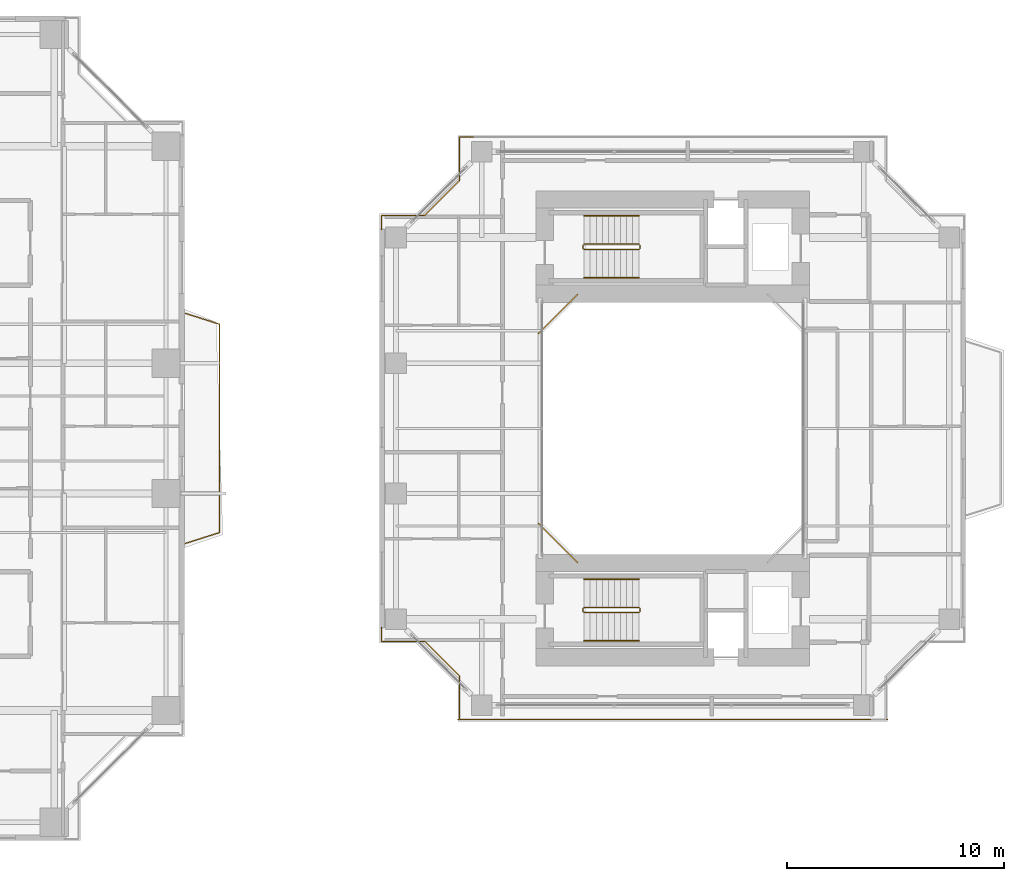
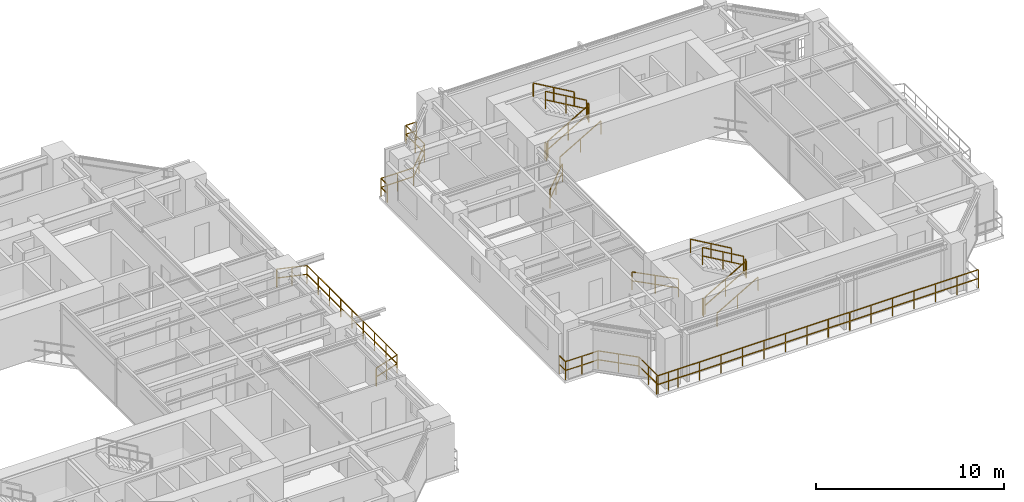
# One storey, part 21 of 22: 18 railings.
"""IFC4 building model written with IfcOpenShell, lengths in metres."""

from ifc_helpers import new_model, si_unit, direction, frame, origin, origin_2d, place, context, subcontext, project, spatial, rectangle, extrude, material, type_object, element, save


model = new_model("IFC4")

# Units and contexts
model_context = context("Model", 3, precision=1e-05, world=origin(), true_north=direction((0.0, 1.0)))
body_context = subcontext(model_context, "Body", "Model", "MODEL_VIEW")
ifc_project = project(units=[si_unit("LENGTHUNIT", "METRE"), si_unit("AREAUNIT", "SQUARE_METRE"), si_unit("VOLUMEUNIT", "CUBIC_METRE"), si_unit("PLANEANGLEUNIT", "RADIAN"), si_unit("MASSUNIT", "GRAM", prefix="KILO"), si_unit("THERMODYNAMICTEMPERATUREUNIT", "KELVIN"), si_unit("POWERUNIT", "WATT")], contexts=[model_context])

# Site, building, storey
site_placement = place(None, origin())
site = spatial("IfcSite", under=ifc_project, at=site_placement, CompositionType="ELEMENT")
building_placement = place(site_placement, origin())
building = spatial("IfcBuilding", under=site, at=building_placement, Name="Qiaomeng Ring Towers", CompositionType="ELEMENT")
storey_placement = place(building_placement, frame((0.0, 0.0, 53.5)))
storey = spatial("IfcBuildingStorey", under=building, at=storey_placement, Name="L14", CompositionType="ELEMENT", Elevation=53.5)

# Railings
ifc_material_1 = material(Name="Low-E pale-green laminated safety glass", Category="glass")
railing_type_1 = type_object("IfcRailingType", Name="ARC-RL-BAL1", PredefinedType="BALUSTRADE", material=ifc_material_1)
railing_1_placement = place(storey_placement, frame((38.050048828125, 17.699951171875, 0.0)))
element("IfcRailing", 1, at=railing_1_placement, inside=storey, type_object=railing_type_1, Name="L14 Balustrade ARC-BAL-L14-T1-E", PredefinedType="BALUSTRADE", context=body_context, shape_type="SweptSolid", body=[
    extrude(rectangle(XDim=0.048095703125, YDim=0.048095703125, at=origin_2d()), frame((0.0, 0.0, 1.17578125), z_axis=(0.952849860715, 0.303442157479, 0.0), x_axis=(-0.303442157479, 0.952849860715, 0.0)), (0.0, 0.0, 1.0), 1.647705078125),
    extrude(rectangle(XDim=0.048095703125, YDim=0.048095703125, at=origin_2d()), frame((0.0, 0.0, 0.60009765625), z_axis=(0.952849860715, 0.303442157479, 0.0), x_axis=(-0.303442157479, 0.952849860715, 0.0)), (0.0, 0.0, 1.0), 1.647705078125),
    extrude(rectangle(XDim=0.048095703125, YDim=0.048095703125, at=origin_2d()), frame((1.570068359375, 0.5, 1.17578125), z_axis=(0.0, 1.0, 0.0), x_axis=(-1.0, 0.0, 0.0)), (0.0, 0.0, 1.0), 9.60009765625),
    extrude(rectangle(XDim=0.048095703125, YDim=0.048095703125, at=origin_2d()), frame((1.570068359375, 0.5, 0.60009765625), z_axis=(0.0, 1.0, 0.0), x_axis=(-1.0, 0.0, 0.0)), (0.0, 0.0, 1.0), 9.60009765625),
    extrude(rectangle(XDim=0.048095703125, YDim=0.048095703125, at=origin_2d()), frame((1.570068359375, 10.10009765625, 1.17578125), z_axis=(-0.952849860715, 0.303442157479, 0.0), x_axis=(-0.303442157479, -0.952849860715, 0.0)), (0.0, 0.0, 1.0), 1.647705078125),
    extrude(rectangle(XDim=0.048095703125, YDim=0.048095703125, at=origin_2d()), frame((1.570068359375, 10.10009765625, 0.60009765625), z_axis=(-0.952849860715, 0.303442157479, 0.0), x_axis=(-0.303442157479, -0.952849860715, 0.0)), (0.0, 0.0, 1.0), 1.647705078125),
    extrude(rectangle(XDim=0.0419921875, YDim=0.0419921875, at=origin_2d()), origin(), (0.0, 0.0, 1.0), 1.15185546875),
    extrude(rectangle(XDim=0.0419921875, YDim=0.0419921875, at=origin_2d()), frame((0.78515625, 0.25, 0.0)), (0.0, 0.0, 1.0), 1.15185546875),
    extrude(rectangle(XDim=0.0419921875, YDim=0.0419921875, at=origin_2d()), frame((1.570068359375, 0.5, 0.0)), (0.0, 0.0, 1.0), 1.15185546875),
    extrude(rectangle(XDim=0.0419921875, YDim=0.0419921875, at=origin_2d()), frame((1.570068359375, 1.699951171875, 0.0)), (0.0, 0.0, 1.0), 1.15185546875),
    extrude(rectangle(XDim=0.0419921875, YDim=0.0419921875, at=origin_2d()), frame((1.570068359375, 2.89990234375, 0.0)), (0.0, 0.0, 1.0), 1.15185546875),
    extrude(rectangle(XDim=0.0419921875, YDim=0.0419921875, at=origin_2d()), frame((1.570068359375, 4.10009765625, 0.0)), (0.0, 0.0, 1.0), 1.15185546875),
    extrude(rectangle(XDim=0.0419921875, YDim=0.0419921875, at=origin_2d()), frame((1.570068359375, 5.300048828125, 0.0)), (0.0, 0.0, 1.0), 1.15185546875),
    extrude(rectangle(XDim=0.0419921875, YDim=0.0419921875, at=origin_2d()), frame((1.570068359375, 6.5, 0.0)), (0.0, 0.0, 1.0), 1.15185546875),
    extrude(rectangle(XDim=0.0419921875, YDim=0.0419921875, at=origin_2d()), frame((1.570068359375, 7.7001953125, 0.0)), (0.0, 0.0, 1.0), 1.15185546875),
    extrude(rectangle(XDim=0.0419921875, YDim=0.0419921875, at=origin_2d()), frame((1.570068359375, 8.900146484375, 0.0)), (0.0, 0.0, 1.0), 1.15185546875),
    extrude(rectangle(XDim=0.0419921875, YDim=0.0419921875, at=origin_2d()), frame((1.570068359375, 10.10009765625, 0.0)), (0.0, 0.0, 1.0), 1.15185546875),
    extrude(rectangle(XDim=0.0419921875, YDim=0.0419921875, at=origin_2d()), frame((0.78515625, 10.35009765625, 0.0)), (0.0, 0.0, 1.0), 1.15185546875),
    extrude(rectangle(XDim=0.0419921875, YDim=0.0419921875, at=origin_2d()), frame((0.0, 10.60009765625, 0.0)), (0.0, 0.0, 1.0), 1.15185546875),
])
railing_2_placement = place(storey_placement, frame((56.1201171875, 29.179931640625, 0.0)))
element("IfcRailing", 2, at=railing_2_placement, inside=storey, type_object=railing_type_1, Name="L14 Balustrade ARC-BAL-WELL2-L14-3", PredefinedType="BALUSTRADE", context=body_context, shape_type="SweptSolid", body=[
    extrude(rectangle(XDim=0.048095703125, YDim=0.048095703125, at=origin_2d()), frame((0.0, 0.0, 1.17578125), z_axis=(-0.707106781187, -0.707106781187, 0.0), x_axis=(0.707106781187, -0.707106781187, 0.0)), (0.0, 0.0, 1.0), 2.545654296875),
    extrude(rectangle(XDim=0.048095703125, YDim=0.048095703125, at=origin_2d()), frame((0.0, 0.0, 0.60009765625), z_axis=(-0.707106781187, -0.707106781187, 0.0), x_axis=(0.707106781187, -0.707106781187, 0.0)), (0.0, 0.0, 1.0), 2.545654296875),
    extrude(rectangle(XDim=0.0419921875, YDim=0.0419921875, at=origin_2d()), origin(), (0.0, 0.0, 1.0), 1.15185546875),
    extrude(rectangle(XDim=0.0419921875, YDim=0.0419921875, at=origin_2d()), frame((-0.89990234375, -0.89990234375, 0.0)), (0.0, 0.0, 1.0), 1.15185546875),
    extrude(rectangle(XDim=0.0419921875, YDim=0.0419921875, at=origin_2d()), frame((-1.800048828125, -1.800048828125, 0.0)), (0.0, 0.0, 1.0), 1.15185546875),
])
railing_3_placement = place(storey_placement, frame((54.320068359375, 18.6201171875, 0.0)))
element("IfcRailing", 3, at=railing_3_placement, inside=storey, type_object=railing_type_1, Name="L14 Balustrade ARC-BAL-WELL2-L14-4", PredefinedType="BALUSTRADE", context=body_context, shape_type="SweptSolid", body=[
    extrude(rectangle(XDim=0.048095703125, YDim=0.048095703125, at=origin_2d()), frame((0.0, 0.0, 1.17578125), z_axis=(0.707106781187, -0.707106781187, 0.0), x_axis=(0.707106781187, 0.707106781187, 0.0)), (0.0, 0.0, 1.0), 2.545654296875),
    extrude(rectangle(XDim=0.048095703125, YDim=0.048095703125, at=origin_2d()), frame((0.0, 0.0, 0.60009765625), z_axis=(0.707106781187, -0.707106781187, 0.0), x_axis=(0.707106781187, 0.707106781187, 0.0)), (0.0, 0.0, 1.0), 2.545654296875),
    extrude(rectangle(XDim=0.0419921875, YDim=0.0419921875, at=origin_2d()), origin(), (0.0, 0.0, 1.0), 1.15185546875),
    extrude(rectangle(XDim=0.0419921875, YDim=0.0419921875, at=origin_2d()), frame((0.89990234375, -0.89990234375, 0.0)), (0.0, 0.0, 1.0), 1.15185546875),
    extrude(rectangle(XDim=0.0419921875, YDim=0.0419921875, at=origin_2d()), frame((1.800048828125, -1.800048828125, 0.0)), (0.0, 0.0, 1.0), 1.15185546875),
])
railing_4_placement = place(storey_placement, frame((51.330078125, 36.419921875, 0.0)))
element("IfcRailing", 4, at=railing_4_placement, inside=storey, type_object=railing_type_1, Name="L14 Balustrade ARC-BAL-NOTCH2-L14-NW", PredefinedType="BALUSTRADE", context=body_context, shape_type="SweptSolid", body=[
    extrude(rectangle(XDim=0.048095703125, YDim=0.048095703125, at=origin_2d()), frame((0.0, 0.0, 1.17578125), z_axis=(-1.0, 0.0, 0.0), x_axis=(0.0, -1.0, 0.0)), (0.0, 0.0, 1.0), 0.650146484375),
    extrude(rectangle(XDim=0.048095703125, YDim=0.048095703125, at=origin_2d()), frame((0.0, 0.0, 0.60009765625), z_axis=(-1.0, 0.0, 0.0), x_axis=(0.0, -1.0, 0.0)), (0.0, 0.0, 1.0), 0.650146484375),
    extrude(rectangle(XDim=0.048095703125, YDim=0.048095703125, at=origin_2d()), frame((-0.650146484375, 0.0, 1.17578125), z_axis=(0.0, -1.0, 0.0), x_axis=(1.0, 0.0, 0.0)), (0.0, 0.0, 1.0), 2.0),
    extrude(rectangle(XDim=0.048095703125, YDim=0.048095703125, at=origin_2d()), frame((-0.650146484375, 0.0, 0.60009765625), z_axis=(0.0, -1.0, 0.0), x_axis=(1.0, 0.0, 0.0)), (0.0, 0.0, 1.0), 2.0),
    extrude(rectangle(XDim=0.048095703125, YDim=0.048095703125, at=origin_2d()), frame((-0.650146484375, -2.0, 1.17578125), z_axis=(-0.707106781187, -0.707106781187, 0.0), x_axis=(0.707106781187, -0.707106781187, 0.0)), (0.0, 0.0, 1.0), 2.262451171875),
    extrude(rectangle(XDim=0.048095703125, YDim=0.048095703125, at=origin_2d()), frame((-0.650146484375, -2.0, 0.60009765625), z_axis=(-0.707106781187, -0.707106781187, 0.0), x_axis=(0.707106781187, -0.707106781187, 0.0)), (0.0, 0.0, 1.0), 2.262451171875),
    extrude(rectangle(XDim=0.048095703125, YDim=0.048095703125, at=origin_2d()), frame((-2.25, -3.599853515625, 1.17578125), z_axis=(-1.0, 0.0, 0.0), x_axis=(0.0, -1.0, 0.0)), (0.0, 0.0, 1.0), 2.0),
    extrude(rectangle(XDim=0.048095703125, YDim=0.048095703125, at=origin_2d()), frame((-2.25, -3.599853515625, 0.60009765625), z_axis=(-1.0, 0.0, 0.0), x_axis=(0.0, -1.0, 0.0)), (0.0, 0.0, 1.0), 2.0),
    extrude(rectangle(XDim=0.048095703125, YDim=0.048095703125, at=origin_2d()), frame((-4.25, -3.599853515625, 1.17578125), z_axis=(0.0, -1.0, 0.0), x_axis=(1.0, 0.0, 0.0)), (0.0, 0.0, 1.0), 0.650146484375),
    extrude(rectangle(XDim=0.048095703125, YDim=0.048095703125, at=origin_2d()), frame((-4.25, -3.599853515625, 0.60009765625), z_axis=(0.0, -1.0, 0.0), x_axis=(1.0, 0.0, 0.0)), (0.0, 0.0, 1.0), 0.650146484375),
    extrude(rectangle(XDim=0.0419921875, YDim=0.0419921875, at=origin_2d()), origin(), (0.0, 0.0, 1.0), 1.15185546875),
    extrude(rectangle(XDim=0.0419921875, YDim=0.0419921875, at=origin_2d()), frame((-0.650146484375, 0.0, 0.0)), (0.0, 0.0, 1.0), 1.15185546875),
    extrude(rectangle(XDim=0.0419921875, YDim=0.0419921875, at=origin_2d()), frame((-0.650146484375, -1.0, 0.0)), (0.0, 0.0, 1.0), 1.15185546875),
    extrude(rectangle(XDim=0.0419921875, YDim=0.0419921875, at=origin_2d()), frame((-0.650146484375, -2.0, 0.0)), (0.0, 0.0, 1.0), 1.15185546875),
    extrude(rectangle(XDim=0.0419921875, YDim=0.0419921875, at=origin_2d()), frame((-1.4501953125, -2.7998046875, 0.0)), (0.0, 0.0, 1.0), 1.15185546875),
    extrude(rectangle(XDim=0.0419921875, YDim=0.0419921875, at=origin_2d()), frame((-2.25, -3.599853515625, 0.0)), (0.0, 0.0, 1.0), 1.15185546875),
    extrude(rectangle(XDim=0.0419921875, YDim=0.0419921875, at=origin_2d()), frame((-3.25, -3.599853515625, 0.0)), (0.0, 0.0, 1.0), 1.15185546875),
    extrude(rectangle(XDim=0.0419921875, YDim=0.0419921875, at=origin_2d()), frame((-4.25, -3.599853515625, 0.0)), (0.0, 0.0, 1.0), 1.15185546875),
    extrude(rectangle(XDim=0.0419921875, YDim=0.0419921875, at=origin_2d()), frame((-4.25, -4.25, 0.0)), (0.0, 0.0, 1.0), 1.15185546875),
])
railing_5_placement = place(storey_placement, frame((47.080078125, 13.830078125, 0.0)))
element("IfcRailing", 5, at=railing_5_placement, inside=storey, type_object=railing_type_1, Name="L14 Balustrade ARC-BAL-NOTCH2-L14-SW", PredefinedType="BALUSTRADE", context=body_context, shape_type="SweptSolid", body=[
    extrude(rectangle(XDim=0.048095703125, YDim=0.048095703125, at=origin_2d()), frame((0.0, 0.0, 1.17578125), z_axis=(0.0, -1.0, 0.0), x_axis=(1.0, 0.0, 0.0)), (0.0, 0.0, 1.0), 0.650146484375),
    extrude(rectangle(XDim=0.048095703125, YDim=0.048095703125, at=origin_2d()), frame((0.0, 0.0, 0.60009765625), z_axis=(0.0, -1.0, 0.0), x_axis=(1.0, 0.0, 0.0)), (0.0, 0.0, 1.0), 0.650146484375),
    extrude(rectangle(XDim=0.048095703125, YDim=0.048095703125, at=origin_2d()), frame((0.0, -0.650146484375, 1.17578125), z_axis=(1.0, 0.0, 0.0), x_axis=(0.0, 1.0, 0.0)), (0.0, 0.0, 1.0), 2.0),
    extrude(rectangle(XDim=0.048095703125, YDim=0.048095703125, at=origin_2d()), frame((0.0, -0.650146484375, 0.60009765625), z_axis=(1.0, 0.0, 0.0), x_axis=(0.0, 1.0, 0.0)), (0.0, 0.0, 1.0), 2.0),
    extrude(rectangle(XDim=0.048095703125, YDim=0.048095703125, at=origin_2d()), frame((2.0, -0.650146484375, 1.17578125), z_axis=(0.707106781187, -0.707106781187, 0.0), x_axis=(0.707106781187, 0.707106781187, 0.0)), (0.0, 0.0, 1.0), 2.262451171875),
    extrude(rectangle(XDim=0.048095703125, YDim=0.048095703125, at=origin_2d()), frame((2.0, -0.650146484375, 0.60009765625), z_axis=(0.707106781187, -0.707106781187, 0.0), x_axis=(0.707106781187, 0.707106781187, 0.0)), (0.0, 0.0, 1.0), 2.262451171875),
    extrude(rectangle(XDim=0.048095703125, YDim=0.048095703125, at=origin_2d()), frame((3.599853515625, -2.25, 1.17578125), z_axis=(0.0, -1.0, 0.0), x_axis=(1.0, 0.0, 0.0)), (0.0, 0.0, 1.0), 2.0),
    extrude(rectangle(XDim=0.048095703125, YDim=0.048095703125, at=origin_2d()), frame((3.599853515625, -2.25, 0.60009765625), z_axis=(0.0, -1.0, 0.0), x_axis=(1.0, 0.0, 0.0)), (0.0, 0.0, 1.0), 2.0),
    extrude(rectangle(XDim=0.048095703125, YDim=0.048095703125, at=origin_2d()), frame((3.599853515625, -4.25, 1.17578125), z_axis=(1.0, 0.0, 0.0), x_axis=(0.0, 1.0, 0.0)), (0.0, 0.0, 1.0), 0.650146484375),
    extrude(rectangle(XDim=0.048095703125, YDim=0.048095703125, at=origin_2d()), frame((3.599853515625, -4.25, 0.60009765625), z_axis=(1.0, 0.0, 0.0), x_axis=(0.0, 1.0, 0.0)), (0.0, 0.0, 1.0), 0.650146484375),
    extrude(rectangle(XDim=0.0419921875, YDim=0.0419921875, at=origin_2d()), origin(), (0.0, 0.0, 1.0), 1.15185546875),
    extrude(rectangle(XDim=0.0419921875, YDim=0.0419921875, at=origin_2d()), frame((0.0, -0.650146484375, 0.0)), (0.0, 0.0, 1.0), 1.15185546875),
    extrude(rectangle(XDim=0.0419921875, YDim=0.0419921875, at=origin_2d()), frame((1.0, -0.650146484375, 0.0)), (0.0, 0.0, 1.0), 1.15185546875),
    extrude(rectangle(XDim=0.0419921875, YDim=0.0419921875, at=origin_2d()), frame((2.0, -0.650146484375, 0.0)), (0.0, 0.0, 1.0), 1.15185546875),
    extrude(rectangle(XDim=0.0419921875, YDim=0.0419921875, at=origin_2d()), frame((2.7998046875, -1.4501953125, 0.0)), (0.0, 0.0, 1.0), 1.15185546875),
    extrude(rectangle(XDim=0.0419921875, YDim=0.0419921875, at=origin_2d()), frame((3.599853515625, -2.25, 0.0)), (0.0, 0.0, 1.0), 1.15185546875),
    extrude(rectangle(XDim=0.0419921875, YDim=0.0419921875, at=origin_2d()), frame((3.599853515625, -3.25, 0.0)), (0.0, 0.0, 1.0), 1.15185546875),
    extrude(rectangle(XDim=0.0419921875, YDim=0.0419921875, at=origin_2d()), frame((3.599853515625, -4.25, 0.0)), (0.0, 0.0, 1.0), 1.15185546875),
    extrude(rectangle(XDim=0.0419921875, YDim=0.0419921875, at=origin_2d()), frame((4.25, -4.25, 0.0)), (0.0, 0.0, 1.0), 1.15185546875),
])
railing_6_placement = place(storey_placement, frame((50.60009765625, 9.580078125, 0.0)))
element("IfcRailing", 6, at=railing_6_placement, inside=storey, type_object=railing_type_1, Name="L14 Balustrade ARC-BAL-T2S-L14", PredefinedType="BALUSTRADE", context=body_context, shape_type="SweptSolid", body=[
    extrude(rectangle(XDim=0.048095703125, YDim=0.048095703125, at=origin_2d()), frame((0.0, 0.0, 1.17578125), z_axis=(1.0, 0.0, 0.0), x_axis=(0.0, 1.0, 0.0)), (0.0, 0.0, 1.0), 19.7998046875),
    extrude(rectangle(XDim=0.048095703125, YDim=0.048095703125, at=origin_2d()), frame((0.0, 0.0, 0.60009765625), z_axis=(1.0, 0.0, 0.0), x_axis=(0.0, 1.0, 0.0)), (0.0, 0.0, 1.0), 19.7998046875),
    extrude(rectangle(XDim=0.0419921875, YDim=0.0419921875, at=origin_2d()), origin(), (0.0, 0.0, 1.0), 1.15185546875),
    extrude(rectangle(XDim=0.0419921875, YDim=0.0419921875, at=origin_2d()), frame((1.320068359375, 0.0, 0.0)), (0.0, 0.0, 1.0), 1.15185546875),
    extrude(rectangle(XDim=0.0419921875, YDim=0.0419921875, at=origin_2d()), frame((2.639892578125, 0.0, 0.0)), (0.0, 0.0, 1.0), 1.15185546875),
    extrude(rectangle(XDim=0.0419921875, YDim=0.0419921875, at=origin_2d()), frame((3.9599609375, 0.0, 0.0)), (0.0, 0.0, 1.0), 1.15185546875),
    extrude(rectangle(XDim=0.0419921875, YDim=0.0419921875, at=origin_2d()), frame((5.280029296875, 0.0, 0.0)), (0.0, 0.0, 1.0), 1.15185546875),
    extrude(rectangle(XDim=0.0419921875, YDim=0.0419921875, at=origin_2d()), frame((6.599853515625, 0.0, 0.0)), (0.0, 0.0, 1.0), 1.15185546875),
    extrude(rectangle(XDim=0.0419921875, YDim=0.0419921875, at=origin_2d()), frame((7.919921875, 0.0, 0.0)), (0.0, 0.0, 1.0), 1.15185546875),
    extrude(rectangle(XDim=0.0419921875, YDim=0.0419921875, at=origin_2d()), frame((9.239990234375, 0.0, 0.0)), (0.0, 0.0, 1.0), 1.15185546875),
    extrude(rectangle(XDim=0.0419921875, YDim=0.0419921875, at=origin_2d()), frame((10.559814453125, 0.0, 0.0)), (0.0, 0.0, 1.0), 1.15185546875),
    extrude(rectangle(XDim=0.0419921875, YDim=0.0419921875, at=origin_2d()), frame((11.8798828125, 0.0, 0.0)), (0.0, 0.0, 1.0), 1.15185546875),
    extrude(rectangle(XDim=0.0419921875, YDim=0.0419921875, at=origin_2d()), frame((13.199951171875, 0.0, 0.0)), (0.0, 0.0, 1.0), 1.15185546875),
    extrude(rectangle(XDim=0.0419921875, YDim=0.0419921875, at=origin_2d()), frame((14.519775390625, 0.0, 0.0)), (0.0, 0.0, 1.0), 1.15185546875),
    extrude(rectangle(XDim=0.0419921875, YDim=0.0419921875, at=origin_2d()), frame((15.83984375, 0.0, 0.0)), (0.0, 0.0, 1.0), 1.15185546875),
    extrude(rectangle(XDim=0.0419921875, YDim=0.0419921875, at=origin_2d()), frame((17.159912109375, 0.0, 0.0)), (0.0, 0.0, 1.0), 1.15185546875),
    extrude(rectangle(XDim=0.0419921875, YDim=0.0419921875, at=origin_2d()), frame((18.479736328125, 0.0, 0.0)), (0.0, 0.0, 1.0), 1.15185546875),
    extrude(rectangle(XDim=0.0419921875, YDim=0.0419921875, at=origin_2d()), frame((19.7998046875, 0.0, 0.0)), (0.0, 0.0, 1.0), 1.15185546875),
])
ifc_material_2 = material(Name="Galvanised steel", Category="steel")
railing_type_2 = type_object("IfcRailingType", Name="ARC-RL-GUARD", PredefinedType="GUARDRAIL", material=ifc_material_2)
railing_7_placement = place(storey_placement, frame((56.419921875, 31.25, 0.16259765625)))
element("IfcRailing", 7, at=railing_7_placement, inside=storey, type_object=railing_type_2, Name="L14 ST5 stair guard 1", PredefinedType="GUARDRAIL", context=body_context, shape_type="SweptSolid", body=[
    extrude(rectangle(XDim=0.048095703125, YDim=0.048095703125, at=origin_2d()), frame((0.0, 0.0, 1.1259765625), z_axis=(0.864913338283, 0.0, 0.50192122615), x_axis=(0.0, 1.0, 0.0)), (0.0, 0.0, 1.0), 2.91357421875),
    extrude(rectangle(XDim=0.048095703125, YDim=0.048095703125, at=origin_2d()), frame((0.0, 0.0, 0.574951171875), z_axis=(0.864913338283, 0.0, 0.50192122615), x_axis=(0.0, 1.0, 0.0)), (0.0, 0.0, 1.0), 2.91357421875),
    extrude(rectangle(XDim=0.0419921875, YDim=0.0419921875, at=origin_2d()), origin(), (0.0, 0.0, 1.0), 1.101806640625),
    extrude(rectangle(XDim=0.0419921875, YDim=0.0419921875, at=origin_2d()), frame((1.260009765625, 0.0, 0.731201171875)), (0.0, 0.0, 1.0), 1.101806640625),
    extrude(rectangle(XDim=0.0419921875, YDim=0.0419921875, at=origin_2d()), frame((2.52001953125, 0.0, 1.46240234375)), (0.0, 0.0, 1.0), 1.101806640625),
])
railing_8_placement = place(storey_placement, frame((58.989990234375, 31.300048828125, 1.625)))
element("IfcRailing", 8, at=railing_8_placement, inside=storey, type_object=railing_type_2, Name="L14 ST5 stair guard 2", PredefinedType="GUARDRAIL", context=body_context, shape_type="SweptSolid", body=[
    extrude(rectangle(XDim=0.048095703125, YDim=0.048095703125, at=origin_2d()), frame((0.0, 0.0, 1.1259765625), z_axis=(0.0, 1.0, 0.0), x_axis=(-1.0, 0.0, 0.0)), (0.0, 0.0, 1.0), 0.139892578125),
    extrude(rectangle(XDim=0.048095703125, YDim=0.048095703125, at=origin_2d()), frame((0.0, 0.0, 0.574951171875), z_axis=(0.0, 1.0, 0.0), x_axis=(-1.0, 0.0, 0.0)), (0.0, 0.0, 1.0), 0.139892578125),
    extrude(rectangle(XDim=0.0419921875, YDim=0.0419921875, at=origin_2d()), origin(), (0.0, 0.0, 1.0), 1.101806640625),
    extrude(rectangle(XDim=0.0419921875, YDim=0.0419921875, at=origin_2d()), frame((0.0, 0.139892578125, 0.0)), (0.0, 0.0, 1.0), 1.101806640625),
])
railing_9_placement = place(storey_placement, frame((58.93994140625, 31.489990234375, 1.78759765625)))
element("IfcRailing", 9, at=railing_9_placement, inside=storey, type_object=railing_type_2, Name="L14 ST5 stair guard 3", PredefinedType="GUARDRAIL", context=body_context, shape_type="SweptSolid", body=[
    extrude(rectangle(XDim=0.048095703125, YDim=0.048095703125, at=origin_2d()), frame((0.0, 0.0, 1.1259765625), z_axis=(-0.864913338283, 0.0, 0.50192122615), x_axis=(0.0, -1.0, 0.0)), (0.0, 0.0, 1.0), 2.91357421875),
    extrude(rectangle(XDim=0.048095703125, YDim=0.048095703125, at=origin_2d()), frame((0.0, 0.0, 0.574951171875), z_axis=(-0.864913338283, 0.0, 0.50192122615), x_axis=(0.0, -1.0, 0.0)), (0.0, 0.0, 1.0), 2.91357421875),
    extrude(rectangle(XDim=0.0419921875, YDim=0.0419921875, at=origin_2d()), origin(), (0.0, 0.0, 1.0), 1.101806640625),
    extrude(rectangle(XDim=0.0419921875, YDim=0.0419921875, at=origin_2d()), frame((-1.260009765625, 0.0, 0.731201171875)), (0.0, 0.0, 1.0), 1.101806640625),
    extrude(rectangle(XDim=0.0419921875, YDim=0.0419921875, at=origin_2d()), frame((-2.52001953125, 0.0, 1.46240234375)), (0.0, 0.0, 1.0), 1.101806640625),
])
railing_10_placement = place(storey_placement, frame((56.3701171875, 31.300048828125, 0.0)))
element("IfcRailing", 10, at=railing_10_placement, inside=storey, type_object=railing_type_2, Name="L14 ST5 stair guard 4", PredefinedType="GUARDRAIL", context=body_context, shape_type="SweptSolid", body=[
    extrude(rectangle(XDim=0.048095703125, YDim=0.048095703125, at=origin_2d()), frame((0.0, 0.0, 1.1259765625), z_axis=(0.0, 1.0, 0.0), x_axis=(-1.0, 0.0, 0.0)), (0.0, 0.0, 1.0), 0.139892578125),
    extrude(rectangle(XDim=0.048095703125, YDim=0.048095703125, at=origin_2d()), frame((0.0, 0.0, 0.574951171875), z_axis=(0.0, 1.0, 0.0), x_axis=(-1.0, 0.0, 0.0)), (0.0, 0.0, 1.0), 0.139892578125),
    extrude(rectangle(XDim=0.0419921875, YDim=0.0419921875, at=origin_2d()), origin(), (0.0, 0.0, 1.0), 1.101806640625),
    extrude(rectangle(XDim=0.0419921875, YDim=0.0419921875, at=origin_2d()), frame((0.0, 0.139892578125, 0.0)), (0.0, 0.0, 1.0), 1.101806640625),
])
railing_11_placement = place(storey_placement, frame((56.419921875, 14.510009765625, 0.16259765625)))
element("IfcRailing", 11, at=railing_11_placement, inside=storey, type_object=railing_type_2, Name="L14 ST6 stair guard 1", PredefinedType="GUARDRAIL", context=body_context, shape_type="SweptSolid", body=[
    extrude(rectangle(XDim=0.048095703125, YDim=0.048095703125, at=origin_2d()), frame((0.0, 0.0, 1.1259765625), z_axis=(0.864913338283, 0.0, 0.50192122615), x_axis=(0.0, 1.0, 0.0)), (0.0, 0.0, 1.0), 2.91357421875),
    extrude(rectangle(XDim=0.048095703125, YDim=0.048095703125, at=origin_2d()), frame((0.0, 0.0, 0.574951171875), z_axis=(0.864913338283, 0.0, 0.50192122615), x_axis=(0.0, 1.0, 0.0)), (0.0, 0.0, 1.0), 2.91357421875),
    extrude(rectangle(XDim=0.0419921875, YDim=0.0419921875, at=origin_2d()), origin(), (0.0, 0.0, 1.0), 1.101806640625),
    extrude(rectangle(XDim=0.0419921875, YDim=0.0419921875, at=origin_2d()), frame((1.260009765625, 0.0, 0.731201171875)), (0.0, 0.0, 1.0), 1.101806640625),
    extrude(rectangle(XDim=0.0419921875, YDim=0.0419921875, at=origin_2d()), frame((2.52001953125, 0.0, 1.46240234375)), (0.0, 0.0, 1.0), 1.101806640625),
])
railing_12_placement = place(storey_placement, frame((58.989990234375, 14.56005859375, 1.625)))
element("IfcRailing", 12, at=railing_12_placement, inside=storey, type_object=railing_type_2, Name="L14 ST6 stair guard 2", PredefinedType="GUARDRAIL", context=body_context, shape_type="SweptSolid", body=[
    extrude(rectangle(XDim=0.048095703125, YDim=0.048095703125, at=origin_2d()), frame((0.0, 0.0, 1.1259765625), z_axis=(0.0, 1.0, 0.0), x_axis=(-1.0, 0.0, 0.0)), (0.0, 0.0, 1.0), 0.139892578125),
    extrude(rectangle(XDim=0.048095703125, YDim=0.048095703125, at=origin_2d()), frame((0.0, 0.0, 0.574951171875), z_axis=(0.0, 1.0, 0.0), x_axis=(-1.0, 0.0, 0.0)), (0.0, 0.0, 1.0), 0.139892578125),
    extrude(rectangle(XDim=0.0419921875, YDim=0.0419921875, at=origin_2d()), origin(), (0.0, 0.0, 1.0), 1.101806640625),
    extrude(rectangle(XDim=0.0419921875, YDim=0.0419921875, at=origin_2d()), frame((0.0, 0.139892578125, 0.0)), (0.0, 0.0, 1.0), 1.101806640625),
])
railing_13_placement = place(storey_placement, frame((58.93994140625, 14.75, 1.78759765625)))
element("IfcRailing", 13, at=railing_13_placement, inside=storey, type_object=railing_type_2, Name="L14 ST6 stair guard 3", PredefinedType="GUARDRAIL", context=body_context, shape_type="SweptSolid", body=[
    extrude(rectangle(XDim=0.048095703125, YDim=0.048095703125, at=origin_2d()), frame((0.0, 0.0, 1.1259765625), z_axis=(-0.864913338283, 0.0, 0.50192122615), x_axis=(0.0, -1.0, 0.0)), (0.0, 0.0, 1.0), 2.91357421875),
    extrude(rectangle(XDim=0.048095703125, YDim=0.048095703125, at=origin_2d()), frame((0.0, 0.0, 0.574951171875), z_axis=(-0.864913338283, 0.0, 0.50192122615), x_axis=(0.0, -1.0, 0.0)), (0.0, 0.0, 1.0), 2.91357421875),
    extrude(rectangle(XDim=0.0419921875, YDim=0.0419921875, at=origin_2d()), origin(), (0.0, 0.0, 1.0), 1.101806640625),
    extrude(rectangle(XDim=0.0419921875, YDim=0.0419921875, at=origin_2d()), frame((-1.260009765625, 0.0, 0.731201171875)), (0.0, 0.0, 1.0), 1.101806640625),
    extrude(rectangle(XDim=0.0419921875, YDim=0.0419921875, at=origin_2d()), frame((-2.52001953125, 0.0, 1.46240234375)), (0.0, 0.0, 1.0), 1.101806640625),
])
railing_14_placement = place(storey_placement, frame((56.3701171875, 14.56005859375, 0.0)))
element("IfcRailing", 14, at=railing_14_placement, inside=storey, type_object=railing_type_2, Name="L14 ST6 stair guard 4", PredefinedType="GUARDRAIL", context=body_context, shape_type="SweptSolid", body=[
    extrude(rectangle(XDim=0.048095703125, YDim=0.048095703125, at=origin_2d()), frame((0.0, 0.0, 1.1259765625), z_axis=(0.0, 1.0, 0.0), x_axis=(-1.0, 0.0, 0.0)), (0.0, 0.0, 1.0), 0.139892578125),
    extrude(rectangle(XDim=0.048095703125, YDim=0.048095703125, at=origin_2d()), frame((0.0, 0.0, 0.574951171875), z_axis=(0.0, 1.0, 0.0), x_axis=(-1.0, 0.0, 0.0)), (0.0, 0.0, 1.0), 0.139892578125),
    extrude(rectangle(XDim=0.0419921875, YDim=0.0419921875, at=origin_2d()), origin(), (0.0, 0.0, 1.0), 1.101806640625),
    extrude(rectangle(XDim=0.0419921875, YDim=0.0419921875, at=origin_2d()), frame((0.0, 0.139892578125, 0.0)), (0.0, 0.0, 1.0), 1.101806640625),
])
ifc_material_3 = material(Name="Stainless steel 316", Category="steel")
railing_type_3 = type_object("IfcRailingType", Name="ARC-RL-HAND", PredefinedType="HANDRAIL", material=ifc_material_3)
railing_15_placement = place(storey_placement, frame((56.419921875, 29.949951171875, 0.16259765625)))
element("IfcRailing", 15, at=railing_15_placement, inside=storey, type_object=railing_type_3, Name="L14 ST5 stair handrail 1", PredefinedType="HANDRAIL", context=body_context, shape_type="SweptSolid", body=[
    extrude(rectangle(XDim=0.048095703125, YDim=0.048095703125, at=origin_2d()), frame((0.0, 0.0, 0.8759765625), z_axis=(0.864913338283, 0.0, 0.50192122615), x_axis=(0.0, 1.0, 0.0)), (0.0, 0.0, 1.0), 2.91357421875),
    extrude(rectangle(XDim=0.0419921875, YDim=0.0419921875, at=origin_2d()), origin(), (0.0, 0.0, 1.0), 0.851806640625),
    extrude(rectangle(XDim=0.0419921875, YDim=0.0419921875, at=origin_2d()), frame((1.260009765625, 0.0, 0.731201171875)), (0.0, 0.0, 1.0), 0.851806640625),
    extrude(rectangle(XDim=0.0419921875, YDim=0.0419921875, at=origin_2d()), frame((2.52001953125, 0.0, 1.46240234375)), (0.0, 0.0, 1.0), 0.851806640625),
])
railing_16_placement = place(storey_placement, frame((58.93994140625, 32.7900390625, 1.78759765625)))
element("IfcRailing", 16, at=railing_16_placement, inside=storey, type_object=railing_type_3, Name="L14 ST5 stair handrail 2", PredefinedType="HANDRAIL", context=body_context, shape_type="SweptSolid", body=[
    extrude(rectangle(XDim=0.048095703125, YDim=0.048095703125, at=origin_2d()), frame((0.0, 0.0, 0.8759765625), z_axis=(-0.864913338283, 0.0, 0.50192122615), x_axis=(0.0, -1.0, 0.0)), (0.0, 0.0, 1.0), 2.91357421875),
    extrude(rectangle(XDim=0.0419921875, YDim=0.0419921875, at=origin_2d()), origin(), (0.0, 0.0, 1.0), 0.851806640625),
    extrude(rectangle(XDim=0.0419921875, YDim=0.0419921875, at=origin_2d()), frame((-1.260009765625, 0.0, 0.731201171875)), (0.0, 0.0, 1.0), 0.851806640625),
    extrude(rectangle(XDim=0.0419921875, YDim=0.0419921875, at=origin_2d()), frame((-2.52001953125, 0.0, 1.46240234375)), (0.0, 0.0, 1.0), 0.851806640625),
])
railing_17_placement = place(storey_placement, frame((56.419921875, 13.2099609375, 0.16259765625)))
element("IfcRailing", 17, at=railing_17_placement, inside=storey, type_object=railing_type_3, Name="L14 ST6 stair handrail 1", PredefinedType="HANDRAIL", context=body_context, shape_type="SweptSolid", body=[
    extrude(rectangle(XDim=0.048095703125, YDim=0.048095703125, at=origin_2d()), frame((0.0, 0.0, 0.8759765625), z_axis=(0.864913338283, 0.0, 0.50192122615), x_axis=(0.0, 1.0, 0.0)), (0.0, 0.0, 1.0), 2.91357421875),
    extrude(rectangle(XDim=0.0419921875, YDim=0.0419921875, at=origin_2d()), origin(), (0.0, 0.0, 1.0), 0.851806640625),
    extrude(rectangle(XDim=0.0419921875, YDim=0.0419921875, at=origin_2d()), frame((1.260009765625, 0.0, 0.731201171875)), (0.0, 0.0, 1.0), 0.851806640625),
    extrude(rectangle(XDim=0.0419921875, YDim=0.0419921875, at=origin_2d()), frame((2.52001953125, 0.0, 1.46240234375)), (0.0, 0.0, 1.0), 0.851806640625),
])
railing_18_placement = place(storey_placement, frame((58.93994140625, 16.050048828125, 1.78759765625)))
element("IfcRailing", 18, at=railing_18_placement, inside=storey, type_object=railing_type_3, Name="L14 ST6 stair handrail 2", PredefinedType="HANDRAIL", context=body_context, shape_type="SweptSolid", body=[
    extrude(rectangle(XDim=0.048095703125, YDim=0.048095703125, at=origin_2d()), frame((0.0, 0.0, 0.8759765625), z_axis=(-0.864913338283, 0.0, 0.50192122615), x_axis=(0.0, -1.0, 0.0)), (0.0, 0.0, 1.0), 2.91357421875),
    extrude(rectangle(XDim=0.0419921875, YDim=0.0419921875, at=origin_2d()), origin(), (0.0, 0.0, 1.0), 0.851806640625),
    extrude(rectangle(XDim=0.0419921875, YDim=0.0419921875, at=origin_2d()), frame((-1.260009765625, 0.0, 0.731201171875)), (0.0, 0.0, 1.0), 0.851806640625),
    extrude(rectangle(XDim=0.0419921875, YDim=0.0419921875, at=origin_2d()), frame((-2.52001953125, 0.0, 1.46240234375)), (0.0, 0.0, 1.0), 0.851806640625),
])

save(model, "model.ifc")
